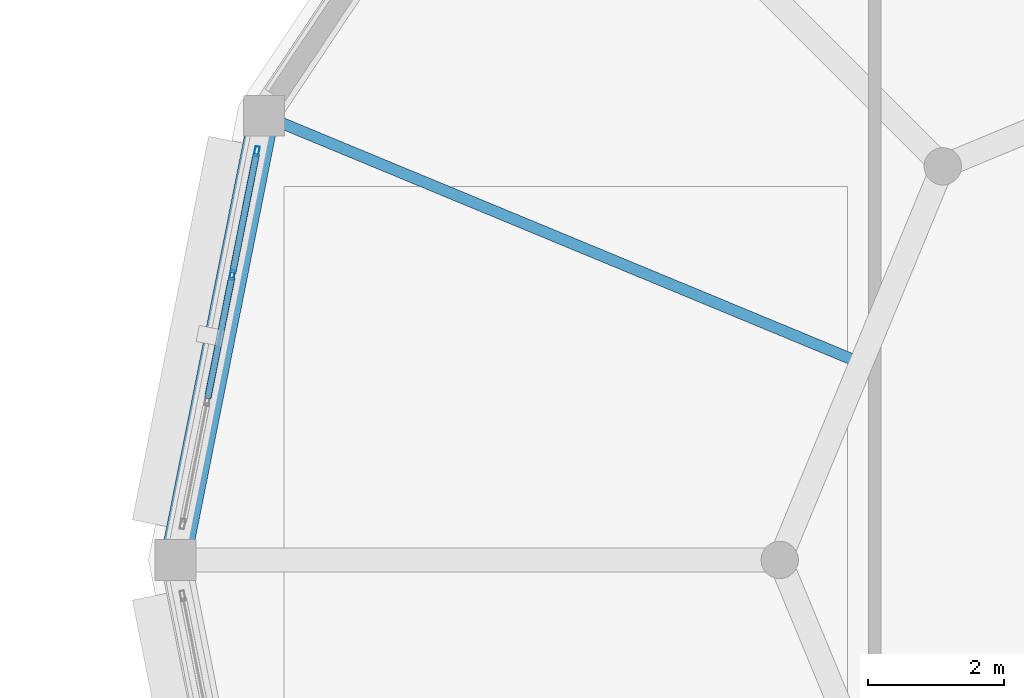
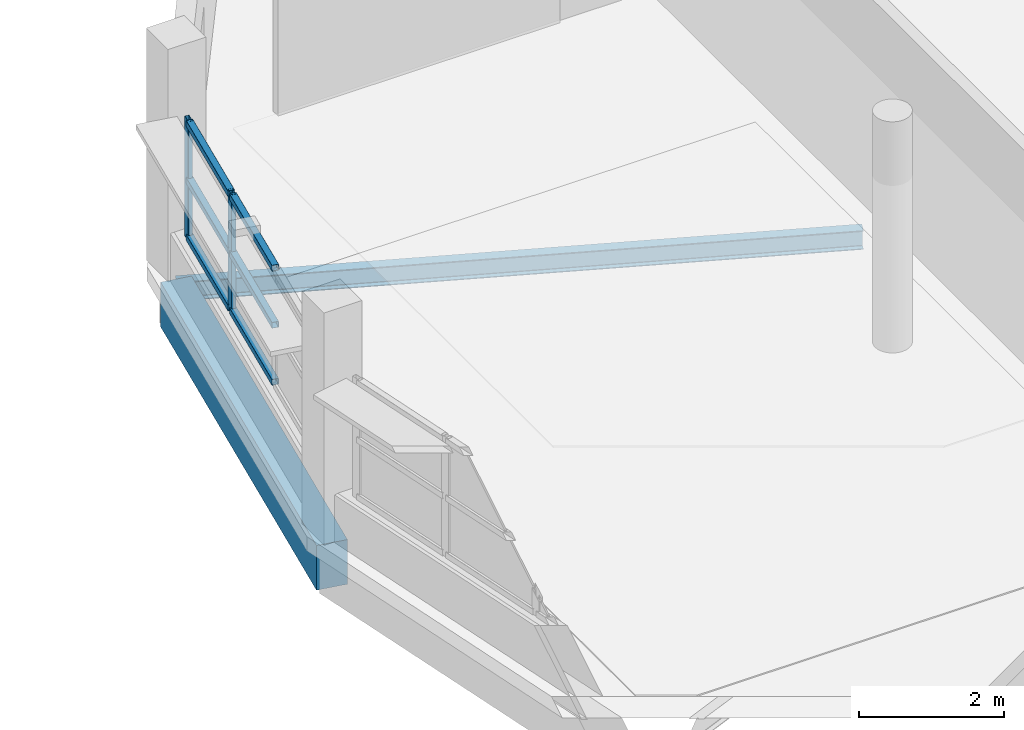
# One storey, part 32 of 121: 8 members, 2 beams, 1 element without a shape of its own.
"""IFC4 building model written with IfcOpenShell, lengths in metres."""

import ifcopenshell
import ifcopenshell.guid

model = None  # the IFC model being written
_history = None  # IfcOwnerHistory: only IFC2X3 demands one
_inside = {}  # id of a spatial element -> (the spatial element, [elements in it])
_under = {}  # id of a project, library or spatial element -> (it, [spatial elements below it])
_declared = {}  # id of a project -> (the project, [libraries it declares])
_typed = {}  # id of a type object -> (the type object, [elements of that type])
_made_of = {}  # id of a material, layer set ... -> (it, [elements and type objects made of it])


def new_model(schema):
    """Start an empty IFC model of exactly this schema.

    Asked for "IFC4X3", IfcOpenShell would pick the latest addendum, in which some entities
    have other attributes; the version numbers below select the first issue.
    IFC2X3 requires an IfcOwnerHistory on every rooted entity: one is made here for all.
    """
    global model, _history
    if schema == "IFC4X3":
        model = ifcopenshell.file(schema_version=(4, 3, 0, 0))
    else:
        model = ifcopenshell.file(schema=schema)
    _inside.clear()
    _under.clear()
    _declared.clear()
    _typed.clear()
    _made_of.clear()
    _history = None
    if model.schema == "IFC2X3":
        org = make("IfcOrganization", Name="unknown")
        user = make(
            "IfcPersonAndOrganization",
            ThePerson=make("IfcPerson", FamilyName="unknown"),
            TheOrganization=org,
        )
        app = make(
            "IfcApplication",
            ApplicationDeveloper=org,
            Version="unknown",
            ApplicationFullName="unknown",
            ApplicationIdentifier="unknown",
        )
        _history = make(
            "IfcOwnerHistory",
            OwningUser=user,
            OwningApplication=app,
            ChangeAction="ADDED",
            CreationDate=0,
        )
    return model


def make(cls, **values):
    """One entity of the class cls with the attributes given. An attribute that is None is left unset."""
    return model.create_entity(
        cls, **{name: value for name, value in values.items() if value is not None}
    )


def rooted(cls, **values):
    """An entity with a GlobalId (a new one), such as an element, a storey or a relation."""
    return make(cls, GlobalId=ifcopenshell.guid.new(), OwnerHistory=_history, **values)


def si_unit(unit_type, name, prefix=None):
    """IfcSIUnit, for example si_unit("LENGTHUNIT", "METRE", prefix="MILLI")."""
    return make("IfcSIUnit", UnitType=unit_type, Prefix=prefix, Name=name)


def assignment(units):
    """IfcUnitAssignment: the units of a project."""
    return None if units is None else make("IfcUnitAssignment", Units=units)


def point(xyz):
    """IfcCartesianPoint."""
    return None if xyz is None else make("IfcCartesianPoint", Coordinates=xyz)


def direction(xyz):
    """IfcDirection."""
    return None if xyz is None else make("IfcDirection", DirectionRatios=xyz)


def frame(location, z_axis=None, x_axis=None):
    """IfcAxis2Placement3D, a coordinate frame: its origin and axes. An axis left out is left unset."""
    return make(
        "IfcAxis2Placement3D",
        Location=point(location),
        Axis=direction(z_axis),
        RefDirection=direction(x_axis),
    )


def frame_2d(location, x_axis=None):
    """IfcAxis2Placement2D, a coordinate frame in the plane: its origin and x axis."""
    return make(
        "IfcAxis2Placement2D", Location=point(location), RefDirection=direction(x_axis)
    )


def origin():
    """The frame at (0, 0, 0) with its axes left unset."""
    return frame((0.0, 0.0, 0.0))


def origin_2d():
    """The frame at (0, 0) in the plane with its x axis left unset."""
    return frame_2d((0.0, 0.0))


def place(relative_to, where):
    """IfcLocalPlacement: puts the frame where relative to a parent placement (None: the world)."""
    return make(
        "IfcLocalPlacement", PlacementRelTo=relative_to, RelativePlacement=where
    )


def context(
    kind, dimensions, precision=None, world=None, true_north=None, identifier=None
):
    """IfcGeometricRepresentationContext, for example the 3D "Model" context."""
    return make(
        "IfcGeometricRepresentationContext",
        ContextIdentifier=identifier,
        ContextType=kind,
        CoordinateSpaceDimension=dimensions,
        Precision=precision,
        WorldCoordinateSystem=world,
        TrueNorth=true_north,
    )


def subcontext(parent, identifier, kind, view, scale=None):
    """IfcGeometricRepresentationSubContext, for example "Body" below "Model"."""
    return make(
        "IfcGeometricRepresentationSubContext",
        ContextIdentifier=identifier,
        ContextType=kind,
        ParentContext=parent,
        TargetScale=scale,
        TargetView=view,
    )


def project(units=None, contexts=None):
    """IfcProject with its units and contexts."""
    return rooted(
        "IfcProject",
        Name="project",
        RepresentationContexts=contexts,
        UnitsInContext=assignment(units),
    )


def spatial(cls, under=None, at=None, **own):
    """A site, building, storey or space (cls), placed at a placement, below another one or the project."""
    s = rooted(cls, ObjectPlacement=at, **own)
    if under is not None:
        _under.setdefault(under.id(), (under, []))[1].append(s)
    return s


def profile(cls, at=None, kind="AREA", **sizes):
    """A parametric profile (cls). Its sizes go by their IFC names, for example OverallWidth=200.0."""
    return make(cls, ProfileType=kind, Position=at, **sizes)


def rectangle(**sizes):
    """IfcRectangleProfileDef."""
    return profile("IfcRectangleProfileDef", **sizes)


def hollow_rectangle(**sizes):
    """IfcRectangleHollowProfileDef."""
    return profile("IfcRectangleHollowProfileDef", **sizes)


def i_section(**sizes):
    """IfcIShapeProfileDef."""
    return profile("IfcIShapeProfileDef", **sizes)


def extrude(swept, where, along, depth):
    """IfcExtrudedAreaSolid: the profile swept, set in the frame where, extruded along a direction by depth."""
    return make(
        "IfcExtrudedAreaSolid",
        SweptArea=swept,
        Position=where,
        ExtrudedDirection=direction(along),
        Depth=depth,
    )


def shape(context_of_items, identifier, shape_type, items):
    """IfcShapeRepresentation: the items that make up one representation, for example the "Body"."""
    return make(
        "IfcShapeRepresentation",
        ContextOfItems=context_of_items,
        RepresentationIdentifier=identifier,
        RepresentationType=shape_type,
        Items=items,
    )


def material(Name=None, Category=None):
    """IfcMaterial."""
    return make("IfcMaterial", Name=Name, Category=Category)


def layer(
    of_material, thickness, ventilated=None, Name=None, Category=None, Priority=None
):
    """IfcMaterialLayer: one layer of a wall or slab, of a material (None: an air gap)."""
    return make(
        "IfcMaterialLayer",
        Material=of_material,
        LayerThickness=thickness,
        IsVentilated=ventilated,
        Name=Name,
        Category=Category,
        Priority=Priority,
    )


def layer_set(layers, Name=None):
    """IfcMaterialLayerSet."""
    return make("IfcMaterialLayerSet", MaterialLayers=layers, LayerSetName=Name)


def material_profile(
    of_material, cross_section, Name=None, Category=None, Priority=None
):
    """IfcMaterialProfile: a cross section and its material."""
    return make(
        "IfcMaterialProfile",
        Name=Name,
        Material=of_material,
        Profile=cross_section,
        Priority=Priority,
        Category=Category,
    )


def profile_set(profiles, Name=None, composite=None):
    """IfcMaterialProfileSet."""
    return make(
        "IfcMaterialProfileSet",
        Name=Name,
        MaterialProfiles=profiles,
        CompositeProfile=composite,
    )


def made_of(thing, what):
    """Note that an element or type object is made of a material, layer set ...; save() writes the relation."""
    if what is not None:
        _made_of.setdefault(what.id(), (what, []))[1].append(thing)
    return thing


def type_object(cls, material=None, **own):
    """A type object (cls), such as IfcWallType, which elements share."""
    return made_of(rooted(cls, **own), material)


def element(
    cls,
    number,
    at=None,
    inside=None,
    cuts=None,
    type_object=None,
    material=None,
    context=None,
    identifier="Body",
    shape_type=None,
    held_by="IfcProductDefinitionShape",
    body=None,
    shapes=None,
    **own,
):
    """One element of the class cls, such as IfcWall. Its Tag is "e" and its number.

    at: its placement. inside: the storey or other place that contains it. cuts: it is an
    opening in that element (IfcRelVoidsElement). A single representation is given by context,
    identifier, shape_type and body (its items); several are given by shapes. held_by: the class
    of the entity that holds the representations. save() writes the other relations.
    """
    e = rooted(cls, Tag="e%d" % number, ObjectPlacement=at, **own)
    if body is not None:
        shapes = [shape(context, identifier, shape_type, body)]
    if shapes is not None:
        e.Representation = make(held_by, Representations=shapes)
    if inside is not None:
        _inside.setdefault(inside.id(), (inside, []))[1].append(e)
    if cuts is not None:
        rooted(
            "IfcRelVoidsElement", RelatingBuildingElement=cuts, RelatedOpeningElement=e
        )
    if type_object is not None:
        _typed.setdefault(type_object.id(), (type_object, []))[1].append(e)
    return made_of(e, material)


def aggregate(whole, parts):
    """IfcRelAggregates: a whole, such as a stair, and the parts it consists of."""
    return rooted("IfcRelAggregates", RelatingObject=whole, RelatedObjects=parts)


def save(model, path):
    """Write the relations noted so far, then the file.

    IfcRelAggregates (storeys below a building ...), IfcRelContainedInSpatialStructure (elements
    in a storey), IfcRelDefinesByType, IfcRelAssociatesMaterial and IfcRelDeclares: one each for
    every whole, place, type object, material and project.
    """
    for whole, parts in _under.values():
        aggregate(whole, parts)
    for where, things in _inside.values():
        rooted(
            "IfcRelContainedInSpatialStructure",
            RelatedElements=things,
            RelatingStructure=where,
        )
    for kind, things in _typed.values():
        rooted("IfcRelDefinesByType", RelatedObjects=things, RelatingType=kind)
    for what, things in _made_of.values():
        rooted("IfcRelAssociatesMaterial", RelatedObjects=things, RelatingMaterial=what)
    for by, libraries in _declared.values():
        rooted("IfcRelDeclares", RelatingContext=by, RelatedDefinitions=libraries)
    model.write(path)


model = new_model("IFC4")

# Units and contexts
model_context = context("Model", 3, precision=1e-05, world=origin(), true_north=direction((0.0, 1.0)))
body_context = subcontext(model_context, "Body", "Model", "MODEL_VIEW")
ifc_project = project(units=[si_unit("LENGTHUNIT", "METRE"), si_unit("AREAUNIT", "SQUARE_METRE"), si_unit("VOLUMEUNIT", "CUBIC_METRE"), si_unit("PLANEANGLEUNIT", "RADIAN"), si_unit("MASSUNIT", "GRAM", prefix="KILO")], contexts=[model_context])

# Site, building, storey
site_placement = place(None, origin())
site = spatial("IfcSite", under=ifc_project, at=site_placement, CompositionType="ELEMENT")
building_placement = place(site_placement, origin())
building = spatial("IfcBuilding", under=site, at=building_placement, Name="Vespera Passage Community Centre", CompositionType="ELEMENT")
storey_placement = place(building_placement, frame((0.0, 0.0, 8.699951171875)))
storey = spatial("IfcBuildingStorey", under=building, at=storey_placement, Name="L02", CompositionType="ELEMENT", Elevation=8.699951171875)

# Beams
ifc_material_1 = material(Name="Steel ASTM A992 Grade 50", Category="steel")
ifc_material_profile_1 = material_profile(ifc_material_1, i_section(OverallWidth=0.16650390625, OverallDepth=0.3173828125, WebThickness=0.007568359375, FlangeThickness=0.01318359375, FilletRadius=0.007568359375, at=origin_2d()), Name="W12X35")
ifc_profile_set_1 = profile_set([ifc_material_profile_1], Name="Steel ASTM A992 Grade 50")
beam_type_1 = type_object("IfcBeamType", Name="BM-J-W12X35", PredefinedType="JOIST", material=ifc_profile_set_1)
beam_1_placement = place(storey_placement, frame((134.0009765625, 27.899169921875, -0.398681640625), z_axis=(-0.923880304795, 0.382681567901, 0.0), x_axis=(-0.382681567901, -0.923880304795, 0.0)))
element("IfcBeam", 1, at=beam_1_placement, inside=storey, type_object=beam_type_1, Name="V3 L02 Secondary Joist 4", PredefinedType="JOIST", context=body_context, shape_type="SweptSolid", body=[
    extrude(i_section(OverallWidth=0.16650390625, OverallDepth=0.3173828125, WebThickness=0.007568359375, FlangeThickness=0.01318359375, FilletRadius=0.007568359375, at=origin_2d()), origin(), (0.0, 0.0, 1.0), 9.5244140625),
])
ifc_material_2 = material(Name="Concrete f'c 35 MPa", Category="concrete")
ifc_material_profile_2 = material_profile(ifc_material_2, rectangle(XDim=0.449951171875, YDim=0.75, at=origin_2d()), Name="RC450X750")
ifc_profile_set_2 = profile_set([ifc_material_profile_2], Name="Concrete f'c 35 MPa")
beam_type_2 = type_object("IfcBeamType", Name="BM-SP-450X750E", PredefinedType="SPANDREL", material=ifc_profile_set_2)
beam_2_placement = place(storey_placement, frame((125.20166015625, 31.5439453125, -0.614990234375), z_axis=(-0.195102743632, -0.980782809509, 0.0), x_axis=(0.980782809509, -0.195102743632, 0.0)))
element("IfcBeam", 2, at=beam_2_placement, inside=storey, type_object=beam_type_2, Name="V3 L02 Spandrel 8", PredefinedType="SPANDREL", context=body_context, shape_type="SweptSolid", body=[
    extrude(rectangle(XDim=0.449951171875, YDim=0.75, at=origin_2d()), origin(), (0.0, 0.0, 1.0), 6.672119140625),
])

# Curtain wall, members
ifc_material_3 = material(Name="Anodized aluminium 6063-T6", Category="aluminium")
ifc_layer = layer(ifc_material_3, 0.159912109375)
ifc_layer_set = layer_set([ifc_layer], Name="Anodized aluminium 6063-T6")
curtain_wall_type = type_object("IfcCurtainWallType", Name="CW-108E", PredefinedType="NOTDEFINED", material=ifc_layer_set)
curtain_wall_placement = place(storey_placement, origin())
curtain_wall = element("IfcCurtainWall", 3, at=curtain_wall_placement, inside=storey, type_object=curtain_wall_type, Name="Dining Drum Ribbon Curtain Wall L02.8", PredefinedType="NOTDEFINED")
ifc_material_4 = material(Name="Anodized aluminium 6063-T6", Category="aluminium")
ifc_material_profile_3 = material_profile(ifc_material_4, hollow_rectangle(XDim=0.06494140625, YDim=0.14990234375, WallThickness=0.00390625, InnerFilletRadius=0.001953125, OuterFilletRadius=0.00390625, at=origin_2d()), Name="ALU150X65X4")
ifc_profile_set_3 = profile_set([ifc_material_profile_3], Name="Anodized aluminium 6063-T6")
member_type_1 = type_object("IfcMemberType", Name="MB-CWM-150E", PredefinedType="MULLION", material=ifc_profile_set_3)
member_1_placement = place(storey_placement, frame((124.73486328125, 29.197265625, 0.800048828125), z_axis=(0.0, 0.0, 1.0), x_axis=(-0.980783996069, 0.195096778691, 0.0)))
member_1 = element("IfcMember", 4, at=member_1_placement, type_object=member_type_1, Name="CW-108E mullion 3", PredefinedType="MULLION", context=body_context, shape_type="SweptSolid", body=[
    extrude(hollow_rectangle(XDim=0.06494140625, YDim=0.14990234375, WallThickness=0.00390625, InnerFilletRadius=0.001953125, OuterFilletRadius=0.00390625, at=origin_2d()), origin(), (0.0, 0.0, 1.0), 2.014892578125),
])
member_2_placement = place(storey_placement, frame((125.0966796875, 31.015869140625, 0.800048828125), z_axis=(0.0, 0.0, 1.0), x_axis=(-0.980783996069, 0.195096778691, 0.0)))
member_2 = element("IfcMember", 5, at=member_2_placement, type_object=member_type_1, Name="CW-108E mullion 4", PredefinedType="MULLION", context=body_context, shape_type="SweptSolid", body=[
    extrude(hollow_rectangle(XDim=0.06494140625, YDim=0.14990234375, WallThickness=0.00390625, InnerFilletRadius=0.001953125, OuterFilletRadius=0.00390625, at=origin_2d()), origin(), (0.0, 0.0, 1.0), 2.014892578125),
])
ifc_material_5 = material(Name="Anodized aluminium 6063-T6", Category="aluminium")
ifc_material_profile_4 = material_profile(ifc_material_5, hollow_rectangle(XDim=0.10009765625, YDim=0.10009765625, WallThickness=0.00390625, InnerFilletRadius=0.001953125, OuterFilletRadius=0.00390625, at=origin_2d()), Name="ALU100X100X4")
ifc_profile_set_4 = profile_set([ifc_material_profile_4], Name="Anodized aluminium 6063-T6")
member_type_2 = type_object("IfcMemberType", Name="MB-CWT-100E", PredefinedType="USERDEFINED", material=ifc_profile_set_4)
member_3_placement = place(storey_placement, frame((124.373046875, 27.378662109375, 0.85009765625), z_axis=(0.195136642714, 0.980776065507, 0.0), x_axis=(-0.980776065507, 0.195136642714, 0.0)))
member_3 = element("IfcMember", 6, at=member_3_placement, type_object=member_type_2, Name="CW-108E transom 2.1", ObjectType="TRANSOM", PredefinedType="USERDEFINED", context=body_context, shape_type="SweptSolid", body=[
    extrude(hollow_rectangle(XDim=0.10009765625, YDim=0.10009765625, WallThickness=0.00390625, InnerFilletRadius=0.001953125, OuterFilletRadius=0.00390625, at=origin_2d()), origin(), (0.0, 0.0, 1.0), 1.821533203125),
])
member_4_placement = place(storey_placement, frame((124.373046875, 27.378662109375, 1.8076171875), z_axis=(0.195136642714, 0.980776065507, 0.0), x_axis=(-0.980776065507, 0.195136642714, 0.0)))
member_4 = element("IfcMember", 7, at=member_4_placement, type_object=member_type_2, Name="CW-108E transom 2.2", ObjectType="TRANSOM", PredefinedType="USERDEFINED", context=body_context, shape_type="SweptSolid", body=[
    extrude(hollow_rectangle(XDim=0.10009765625, YDim=0.10009765625, WallThickness=0.00390625, InnerFilletRadius=0.001953125, OuterFilletRadius=0.00390625, at=origin_2d()), origin(), (0.0, 0.0, 1.0), 1.821533203125),
])
member_5_placement = place(storey_placement, frame((124.373046875, 27.378662109375, 2.76513671875), z_axis=(0.195136642714, 0.980776065507, 0.0), x_axis=(-0.980776065507, 0.195136642714, 0.0)))
member_5 = element("IfcMember", 8, at=member_5_placement, type_object=member_type_2, Name="CW-108E transom 2.3", ObjectType="TRANSOM", PredefinedType="USERDEFINED", context=body_context, shape_type="SweptSolid", body=[
    extrude(hollow_rectangle(XDim=0.10009765625, YDim=0.10009765625, WallThickness=0.00390625, InnerFilletRadius=0.001953125, OuterFilletRadius=0.00390625, at=origin_2d()), origin(), (0.0, 0.0, 1.0), 1.821533203125),
])
member_6_placement = place(storey_placement, frame((124.7412109375, 29.22900390625, 0.85009765625), z_axis=(0.195118922523, 0.980779590975, 0.0), x_axis=(-0.980779590975, 0.195118922523, 0.0)))
member_6 = element("IfcMember", 9, at=member_6_placement, type_object=member_type_2, Name="CW-108E transom 3.1", ObjectType="TRANSOM", PredefinedType="USERDEFINED", context=body_context, shape_type="SweptSolid", body=[
    extrude(hollow_rectangle(XDim=0.10009765625, YDim=0.10009765625, WallThickness=0.00390625, InnerFilletRadius=0.001953125, OuterFilletRadius=0.00390625, at=origin_2d()), origin(), (0.0, 0.0, 1.0), 1.789306640625),
])
member_7_placement = place(storey_placement, frame((124.7412109375, 29.22900390625, 1.8076171875), z_axis=(0.195118922523, 0.980779590975, 0.0), x_axis=(-0.980779590975, 0.195118922523, 0.0)))
member_7 = element("IfcMember", 10, at=member_7_placement, type_object=member_type_2, Name="CW-108E transom 3.2", ObjectType="TRANSOM", PredefinedType="USERDEFINED", context=body_context, shape_type="SweptSolid", body=[
    extrude(hollow_rectangle(XDim=0.10009765625, YDim=0.10009765625, WallThickness=0.00390625, InnerFilletRadius=0.001953125, OuterFilletRadius=0.00390625, at=origin_2d()), origin(), (0.0, 0.0, 1.0), 1.789306640625),
])
member_8_placement = place(storey_placement, frame((124.7412109375, 29.22900390625, 2.76513671875), z_axis=(0.195118922523, 0.980779590975, 0.0), x_axis=(-0.980779590975, 0.195118922523, 0.0)))
member_8 = element("IfcMember", 11, at=member_8_placement, type_object=member_type_2, Name="CW-108E transom 3.3", ObjectType="TRANSOM", PredefinedType="USERDEFINED", context=body_context, shape_type="SweptSolid", body=[
    extrude(hollow_rectangle(XDim=0.10009765625, YDim=0.10009765625, WallThickness=0.00390625, InnerFilletRadius=0.001953125, OuterFilletRadius=0.00390625, at=origin_2d()), origin(), (0.0, 0.0, 1.0), 1.789306640625),
])
aggregate(curtain_wall, [member_1, member_2, member_3, member_4, member_5, member_6, member_7, member_8])

save(model, "model.ifc")
